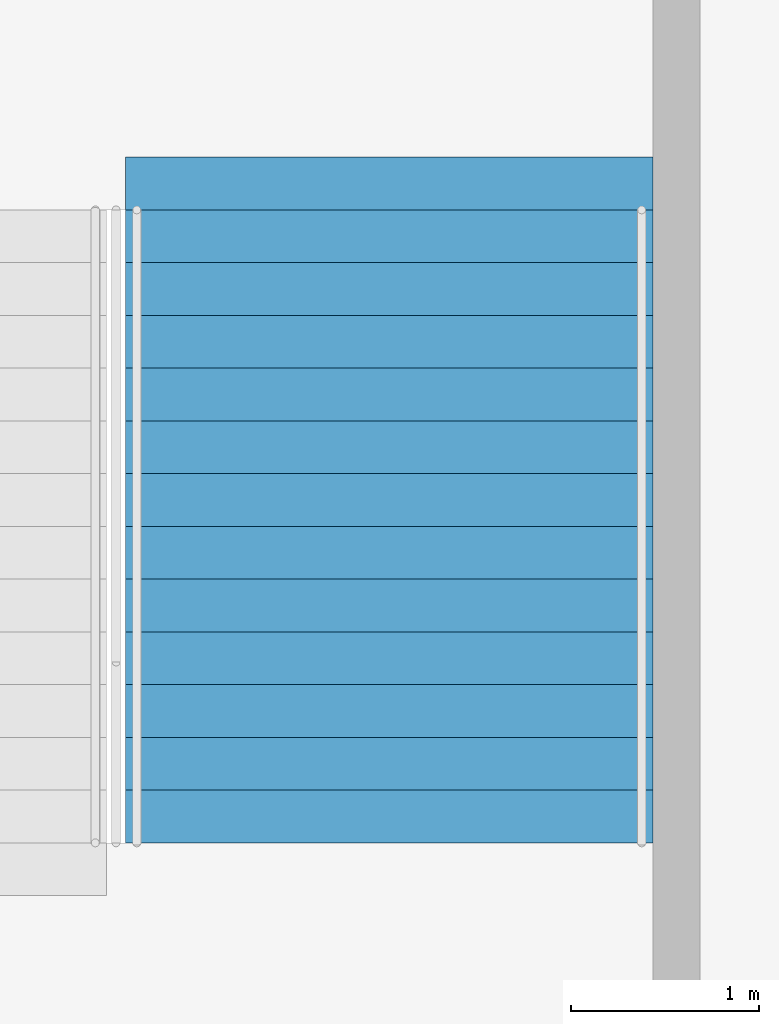
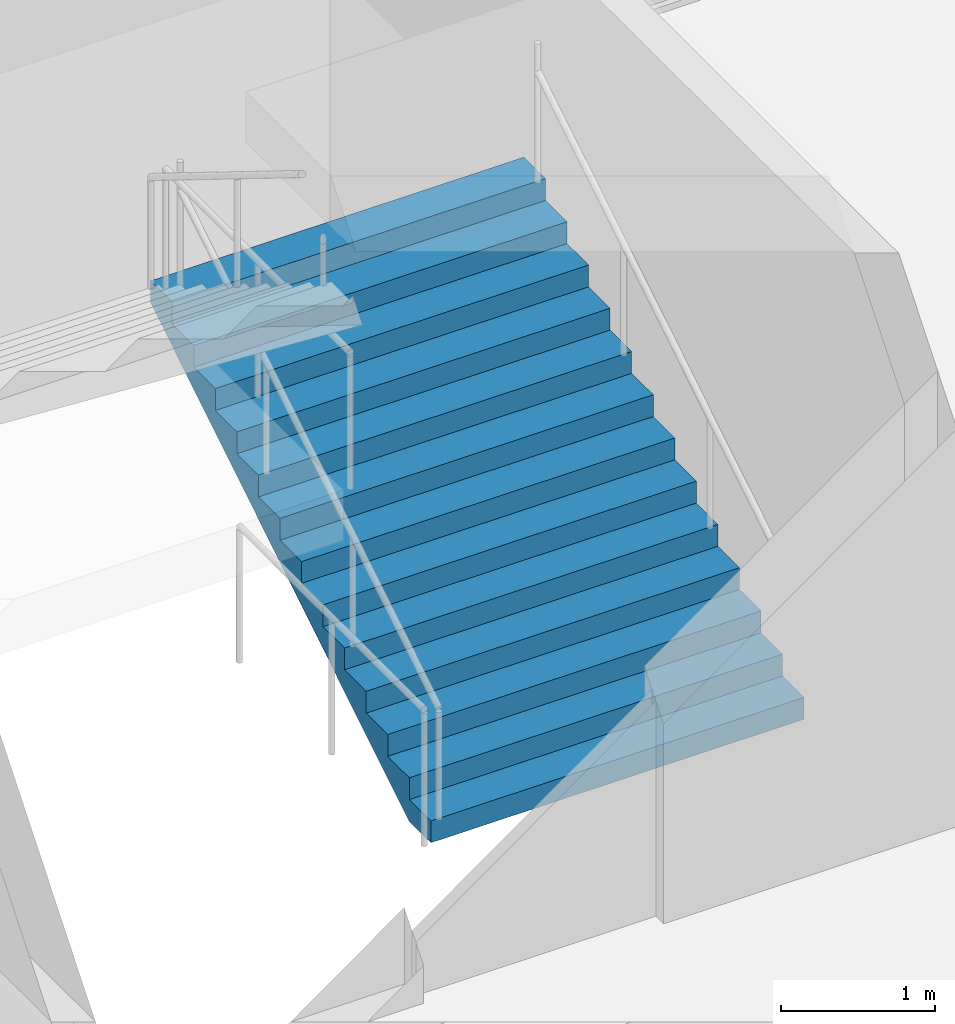
# One storey, part 218 of 249: 1 stair flight, 1 element without a shape of its own.
"""IFC4 building model written with IfcOpenShell, lengths in metres."""

from ifc_helpers import new_model, si_unit, direction, frame, origin, place, context, subcontext, project, spatial, faceted_brep, material, type_object, element, aggregate, save


model = new_model("IFC4")

# Units and contexts
model_context = context("Model", 3, precision=1e-05, world=origin(), true_north=direction((0.0, 1.0)))
body_context = subcontext(model_context, "Body", "Model", "MODEL_VIEW")
ifc_project = project(units=[si_unit("LENGTHUNIT", "METRE"), si_unit("AREAUNIT", "SQUARE_METRE"), si_unit("VOLUMEUNIT", "CUBIC_METRE"), si_unit("PLANEANGLEUNIT", "RADIAN"), si_unit("MASSUNIT", "GRAM", prefix="KILO")], contexts=[model_context])

# Site, building, storey
site_placement = place(None, origin())
site = spatial("IfcSite", under=ifc_project, at=site_placement, CompositionType="ELEMENT")
building_placement = place(site_placement, origin())
building = spatial("IfcBuilding", under=site, at=building_placement, Name="Ogive Plaza Stadium", CompositionType="ELEMENT")
storey_placement = place(building_placement, frame((0.0, 0.0, 13.5)))
storey = spatial("IfcBuildingStorey", under=building, at=storey_placement, Name="L03", CompositionType="ELEMENT", Elevation=13.5)

# Stair, stair flight
ifc_material_1 = material(Name="Concrete C40/50", Category="concrete")
stair_type = type_object("IfcStairType", Name="Exit stair", PredefinedType="STRAIGHT_RUN_STAIR", material=ifc_material_1)
stair_placement = place(storey_placement, origin())
stair = element("IfcStair", 1, at=stair_placement, inside=storey, type_object=stair_type, Name="Exit stair ST36A L03 to L04", PredefinedType="STRAIGHT_RUN_STAIR")
ifc_material_2 = material(Name="Concrete C40/50", Category="concrete")
stair_flight_type = type_object("IfcStairFlightType", Name="Exit stair flight", PredefinedType="STRAIGHT", material=ifc_material_2)
stair_flight_placement = place(storey_placement, frame((24.824951171875, 94.85009765625, 0.0), z_axis=(0.0, 0.0, 1.0), x_axis=(0.0, 1.0, 0.0)))
stair_flight = element("IfcStairFlight", 2, at=stair_flight_placement, type_object=stair_flight_type, Name="ST36A flight 1", NumberOfRisers=13, NumberOfTreads=12, PredefinedType="STRAIGHT", RiserHeight=0.173076923, TreadLength=0.28, context=body_context, shape_type="Brep", body=[
    faceted_brep([(0.28515625, -1.39990234375, 0.0), (3.639892578125, -1.39990234375, 2.07373046875), (3.639892578125, -1.39990234375, 2.25), (3.360107421875, -1.39990234375, 2.25), (3.360107421875, -1.39990234375, 2.076904296875), (3.080078125, -1.39990234375, 2.076904296875), (3.080078125, -1.39990234375, 1.90380859375), (2.800048828125, -1.39990234375, 1.90380859375), (2.800048828125, -1.39990234375, 1.730712890625), (2.52001953125, -1.39990234375, 1.730712890625), (2.52001953125, -1.39990234375, 1.5576171875), (2.239990234375, -1.39990234375, 1.5576171875), (2.239990234375, -1.39990234375, 1.384521484375), (1.9599609375, -1.39990234375, 1.384521484375), (1.9599609375, -1.39990234375, 1.21142578125), (1.679931640625, -1.39990234375, 1.21142578125), (1.679931640625, -1.39990234375, 1.03857421875), (1.39990234375, -1.39990234375, 1.03857421875), (1.39990234375, -1.39990234375, 0.865478515625), (1.1201171875, -1.39990234375, 0.865478515625), (1.1201171875, -1.39990234375, 0.6923828125), (0.840087890625, -1.39990234375, 0.6923828125), (0.840087890625, -1.39990234375, 0.519287109375), (0.56005859375, -1.39990234375, 0.519287109375), (0.56005859375, -1.39990234375, 0.34619140625), (0.280029296875, -1.39990234375, 0.34619140625), (0.280029296875, -1.39990234375, 0.173095703125), (0.0, -1.39990234375, 0.173095703125), (0.0, -1.39990234375, 0.0), (0.0, 1.39990234375, 0.0), (0.0, 1.39990234375, 0.173095703125), (0.280029296875, 1.39990234375, 0.173095703125), (0.280029296875, 1.39990234375, 0.34619140625), (0.56005859375, 1.39990234375, 0.34619140625), (0.56005859375, 1.39990234375, 0.519287109375), (0.840087890625, 1.39990234375, 0.519287109375), (0.840087890625, 1.39990234375, 0.6923828125), (1.1201171875, 1.39990234375, 0.6923828125), (1.1201171875, 1.39990234375, 0.865478515625), (1.39990234375, 1.39990234375, 0.865478515625), (1.39990234375, 1.39990234375, 1.03857421875), (1.679931640625, 1.39990234375, 1.03857421875), (1.679931640625, 1.39990234375, 1.21142578125), (1.9599609375, 1.39990234375, 1.21142578125), (1.9599609375, 1.39990234375, 1.384521484375), (2.239990234375, 1.39990234375, 1.384521484375), (2.239990234375, 1.39990234375, 1.5576171875), (2.52001953125, 1.39990234375, 1.5576171875), (2.52001953125, 1.39990234375, 1.730712890625), (2.800048828125, 1.39990234375, 1.730712890625), (2.800048828125, 1.39990234375, 1.90380859375), (3.080078125, 1.39990234375, 1.90380859375), (3.080078125, 1.39990234375, 2.076904296875), (3.360107421875, 1.39990234375, 2.076904296875), (3.360107421875, 1.39990234375, 2.25), (3.639892578125, 1.39990234375, 2.25), (3.639892578125, 1.39990234375, 2.07373046875), (0.28515625, 1.39990234375, 0.0), (0.28515625, -1.0888671875, 0.0), (3.639892578125, -1.0888671875, 2.07373046875), (0.28515625, -0.77783203125, 0.0), (3.639892578125, -0.77783203125, 2.07373046875), (0.28515625, -0.466796875, 0.0), (3.639892578125, -0.466796875, 2.07373046875), (0.28515625, -0.155517578125, 0.0), (3.639892578125, -0.155517578125, 2.07373046875), (0.28515625, 0.155517578125, 0.0), (3.639892578125, 0.155517578125, 2.07373046875), (0.28515625, 0.466796875, 0.0), (3.639892578125, 0.466796875, 2.07373046875), (0.28515625, 0.77783203125, 0.0), (3.639892578125, 0.77783203125, 2.07373046875), (0.28515625, 1.0888671875, 0.0), (3.639892578125, 1.0888671875, 2.07373046875), (3.639892578125, -1.0888671875, 2.25), (3.639892578125, -0.77783203125, 2.25), (3.639892578125, -0.466796875, 2.25), (3.639892578125, -0.155517578125, 2.25), (3.639892578125, 0.155517578125, 2.25), (3.639892578125, 0.466796875, 2.25), (3.639892578125, 0.77783203125, 2.25), (3.639892578125, 1.0888671875, 2.25), (3.360107421875, -1.0888671875, 2.25), (3.360107421875, -0.77783203125, 2.25), (3.360107421875, -0.466796875, 2.25), (3.360107421875, -0.155517578125, 2.25), (3.360107421875, 0.155517578125, 2.25), (3.360107421875, 0.466796875, 2.25), (3.360107421875, 0.77783203125, 2.25), (3.360107421875, 1.0888671875, 2.25), (3.360107421875, -1.0888671875, 2.076904296875), (3.360107421875, -0.77783203125, 2.076904296875), (3.360107421875, -0.466796875, 2.076904296875), (3.360107421875, -0.155517578125, 2.076904296875), (3.360107421875, 0.155517578125, 2.076904296875), (3.360107421875, 0.466796875, 2.076904296875), (3.360107421875, 0.77783203125, 2.076904296875), (3.360107421875, 1.0888671875, 2.076904296875), (3.080078125, -1.0888671875, 2.076904296875), (3.080078125, -0.77783203125, 2.076904296875), (3.080078125, -0.466796875, 2.076904296875), (3.080078125, -0.155517578125, 2.076904296875), (3.080078125, 0.155517578125, 2.076904296875), (3.080078125, 0.466796875, 2.076904296875), (3.080078125, 0.77783203125, 2.076904296875), (3.080078125, 1.0888671875, 2.076904296875), (3.080078125, -1.0888671875, 1.90380859375), (3.080078125, -0.77783203125, 1.90380859375), (3.080078125, -0.466796875, 1.90380859375), (3.080078125, -0.155517578125, 1.90380859375), (3.080078125, 0.155517578125, 1.90380859375), (3.080078125, 0.466796875, 1.90380859375), (3.080078125, 0.77783203125, 1.90380859375), (3.080078125, 1.0888671875, 1.90380859375), (2.800048828125, -1.0888671875, 1.90380859375), (2.800048828125, -0.77783203125, 1.90380859375), (2.800048828125, -0.466796875, 1.90380859375), (2.800048828125, -0.155517578125, 1.90380859375), (2.800048828125, 0.155517578125, 1.90380859375), (2.800048828125, 0.466796875, 1.90380859375), (2.800048828125, 0.77783203125, 1.90380859375), (2.800048828125, 1.0888671875, 1.90380859375), (2.800048828125, -1.0888671875, 1.730712890625), (2.800048828125, -0.77783203125, 1.730712890625), (2.800048828125, -0.466796875, 1.730712890625), (2.800048828125, -0.155517578125, 1.730712890625), (2.800048828125, 0.155517578125, 1.730712890625), (2.800048828125, 0.466796875, 1.730712890625), (2.800048828125, 0.77783203125, 1.730712890625), (2.800048828125, 1.0888671875, 1.730712890625), (2.52001953125, -1.0888671875, 1.730712890625), (2.52001953125, -0.77783203125, 1.730712890625), (2.52001953125, -0.466796875, 1.730712890625), (2.52001953125, -0.155517578125, 1.730712890625), (2.52001953125, 0.155517578125, 1.730712890625), (2.52001953125, 0.466796875, 1.730712890625), (2.52001953125, 0.77783203125, 1.730712890625), (2.52001953125, 1.0888671875, 1.730712890625), (2.52001953125, -1.0888671875, 1.5576171875), (2.52001953125, -0.77783203125, 1.5576171875), (2.52001953125, -0.466796875, 1.5576171875), (2.52001953125, -0.155517578125, 1.5576171875), (2.52001953125, 0.155517578125, 1.5576171875), (2.52001953125, 0.466796875, 1.5576171875), (2.52001953125, 0.77783203125, 1.5576171875), (2.52001953125, 1.0888671875, 1.5576171875), (2.239990234375, -1.0888671875, 1.5576171875), (2.239990234375, -0.77783203125, 1.5576171875), (2.239990234375, -0.466796875, 1.5576171875), (2.239990234375, -0.155517578125, 1.5576171875), (2.239990234375, 0.155517578125, 1.5576171875), (2.239990234375, 0.466796875, 1.5576171875), (2.239990234375, 0.77783203125, 1.5576171875), (2.239990234375, 1.0888671875, 1.5576171875), (2.239990234375, -1.0888671875, 1.384521484375), (2.239990234375, -0.77783203125, 1.384521484375), (2.239990234375, -0.466796875, 1.384521484375), (2.239990234375, -0.155517578125, 1.384521484375), (2.239990234375, 0.155517578125, 1.384521484375), (2.239990234375, 0.466796875, 1.384521484375), (2.239990234375, 0.77783203125, 1.384521484375), (2.239990234375, 1.0888671875, 1.384521484375), (1.9599609375, -1.0888671875, 1.384521484375), (1.9599609375, -0.77783203125, 1.384521484375), (1.9599609375, -0.466796875, 1.384521484375), (1.9599609375, -0.155517578125, 1.384521484375), (1.9599609375, 0.155517578125, 1.384521484375), (1.9599609375, 0.466796875, 1.384521484375), (1.9599609375, 0.77783203125, 1.384521484375), (1.9599609375, 1.0888671875, 1.384521484375), (1.9599609375, -1.0888671875, 1.21142578125), (1.9599609375, -0.77783203125, 1.21142578125), (1.9599609375, -0.466796875, 1.21142578125), (1.9599609375, -0.155517578125, 1.21142578125), (1.9599609375, 0.155517578125, 1.21142578125), (1.9599609375, 0.466796875, 1.21142578125), (1.9599609375, 0.77783203125, 1.21142578125), (1.9599609375, 1.0888671875, 1.21142578125), (1.679931640625, -1.0888671875, 1.21142578125), (1.679931640625, -0.77783203125, 1.21142578125), (1.679931640625, -0.466796875, 1.21142578125), (1.679931640625, -0.155517578125, 1.21142578125), (1.679931640625, 0.155517578125, 1.21142578125), (1.679931640625, 0.466796875, 1.21142578125), (1.679931640625, 0.77783203125, 1.21142578125), (1.679931640625, 1.0888671875, 1.21142578125), (1.679931640625, -1.0888671875, 1.03857421875), (1.679931640625, -0.77783203125, 1.03857421875), (1.679931640625, -0.466796875, 1.03857421875), (1.679931640625, -0.155517578125, 1.03857421875), (1.679931640625, 0.155517578125, 1.03857421875), (1.679931640625, 0.466796875, 1.03857421875), (1.679931640625, 0.77783203125, 1.03857421875), (1.679931640625, 1.0888671875, 1.03857421875), (1.39990234375, -1.0888671875, 1.03857421875), (1.39990234375, -0.77783203125, 1.03857421875), (1.39990234375, -0.466796875, 1.03857421875), (1.39990234375, -0.155517578125, 1.03857421875), (1.39990234375, 0.155517578125, 1.03857421875), (1.39990234375, 0.466796875, 1.03857421875), (1.39990234375, 0.77783203125, 1.03857421875), (1.39990234375, 1.0888671875, 1.03857421875), (1.39990234375, -1.0888671875, 0.865478515625), (1.39990234375, -0.77783203125, 0.865478515625), (1.39990234375, -0.466796875, 0.865478515625), (1.39990234375, -0.155517578125, 0.865478515625), (1.39990234375, 0.155517578125, 0.865478515625), (1.39990234375, 0.466796875, 0.865478515625), (1.39990234375, 0.77783203125, 0.865478515625), (1.39990234375, 1.0888671875, 0.865478515625), (1.1201171875, -1.0888671875, 0.865478515625), (1.1201171875, -0.77783203125, 0.865478515625), (1.1201171875, -0.466796875, 0.865478515625), (1.1201171875, -0.155517578125, 0.865478515625), (1.1201171875, 0.155517578125, 0.865478515625), (1.1201171875, 0.466796875, 0.865478515625), (1.1201171875, 0.77783203125, 0.865478515625), (1.1201171875, 1.0888671875, 0.865478515625), (1.1201171875, -1.0888671875, 0.6923828125), (1.1201171875, -0.77783203125, 0.6923828125), (1.1201171875, -0.466796875, 0.6923828125), (1.1201171875, -0.155517578125, 0.6923828125), (1.1201171875, 0.155517578125, 0.6923828125), (1.1201171875, 0.466796875, 0.6923828125), (1.1201171875, 0.77783203125, 0.6923828125), (1.1201171875, 1.0888671875, 0.6923828125), (0.840087890625, -1.0888671875, 0.6923828125), (0.840087890625, -0.77783203125, 0.6923828125), (0.840087890625, -0.466796875, 0.6923828125), (0.840087890625, -0.155517578125, 0.6923828125), (0.840087890625, 0.155517578125, 0.6923828125), (0.840087890625, 0.466796875, 0.6923828125), (0.840087890625, 0.77783203125, 0.6923828125), (0.840087890625, 1.0888671875, 0.6923828125), (0.840087890625, -1.0888671875, 0.519287109375), (0.840087890625, -0.77783203125, 0.519287109375), (0.840087890625, -0.466796875, 0.519287109375), (0.840087890625, -0.155517578125, 0.519287109375), (0.840087890625, 0.155517578125, 0.519287109375), (0.840087890625, 0.466796875, 0.519287109375), (0.840087890625, 0.77783203125, 0.519287109375), (0.840087890625, 1.0888671875, 0.519287109375), (0.56005859375, -1.0888671875, 0.519287109375), (0.56005859375, -0.77783203125, 0.519287109375), (0.56005859375, -0.466796875, 0.519287109375), (0.56005859375, -0.155517578125, 0.519287109375), (0.56005859375, 0.155517578125, 0.519287109375), (0.56005859375, 0.466796875, 0.519287109375), (0.56005859375, 0.77783203125, 0.519287109375), (0.56005859375, 1.0888671875, 0.519287109375), (0.56005859375, -1.0888671875, 0.34619140625), (0.56005859375, -0.77783203125, 0.34619140625), (0.56005859375, -0.466796875, 0.34619140625), (0.56005859375, -0.155517578125, 0.34619140625), (0.56005859375, 0.155517578125, 0.34619140625), (0.56005859375, 0.466796875, 0.34619140625), (0.56005859375, 0.77783203125, 0.34619140625), (0.56005859375, 1.0888671875, 0.34619140625), (0.280029296875, -1.0888671875, 0.34619140625), (0.280029296875, -0.77783203125, 0.34619140625), (0.280029296875, -0.466796875, 0.34619140625), (0.280029296875, -0.155517578125, 0.34619140625), (0.280029296875, 0.155517578125, 0.34619140625), (0.280029296875, 0.466796875, 0.34619140625), (0.280029296875, 0.77783203125, 0.34619140625), (0.280029296875, 1.0888671875, 0.34619140625), (0.280029296875, -1.0888671875, 0.173095703125), (0.280029296875, -0.77783203125, 0.173095703125), (0.280029296875, -0.466796875, 0.173095703125), (0.280029296875, -0.155517578125, 0.173095703125), (0.280029296875, 0.155517578125, 0.173095703125), (0.280029296875, 0.466796875, 0.173095703125), (0.280029296875, 0.77783203125, 0.173095703125), (0.280029296875, 1.0888671875, 0.173095703125), (0.0, -1.0888671875, 0.173095703125), (0.0, -0.77783203125, 0.173095703125), (0.0, -0.466796875, 0.173095703125), (0.0, -0.155517578125, 0.173095703125), (0.0, 0.155517578125, 0.173095703125), (0.0, 0.466796875, 0.173095703125), (0.0, 0.77783203125, 0.173095703125), (0.0, 1.0888671875, 0.173095703125), (0.0, -1.0888671875, 0.0), (0.0, -0.77783203125, 0.0), (0.0, -0.466796875, 0.0), (0.0, -0.155517578125, 0.0), (0.0, 0.155517578125, 0.0), (0.0, 0.466796875, 0.0), (0.0, 0.77783203125, 0.0), (0.0, 1.0888671875, 0.0)], [[[0, 1, 2, 3, 4, 5, 6, 7, 8, 9, 10, 11, 12, 13, 14, 15, 16, 17, 18, 19, 20, 21, 22, 23, 24, 25, 26, 27, 28]], [[29, 30, 31, 32, 33, 34, 35, 36, 37, 38, 39, 40, 41, 42, 43, 44, 45, 46, 47, 48, 49, 50, 51, 52, 53, 54, 55, 56, 57]], [[0, 58, 59, 1]], [[58, 60, 61, 59]], [[60, 62, 63, 61]], [[62, 64, 65, 63]], [[64, 66, 67, 65]], [[66, 68, 69, 67]], [[68, 70, 71, 69]], [[70, 72, 73, 71]], [[72, 57, 56, 73]], [[1, 59, 74, 2]], [[59, 61, 75, 74]], [[61, 63, 76, 75]], [[63, 65, 77, 76]], [[65, 67, 78, 77]], [[67, 69, 79, 78]], [[69, 71, 80, 79]], [[71, 73, 81, 80]], [[73, 56, 55, 81]], [[2, 74, 82, 3]], [[74, 75, 83, 82]], [[75, 76, 84, 83]], [[76, 77, 85, 84]], [[77, 78, 86, 85]], [[78, 79, 87, 86]], [[79, 80, 88, 87]], [[80, 81, 89, 88]], [[81, 55, 54, 89]], [[3, 82, 90, 4]], [[82, 83, 91, 90]], [[83, 84, 92, 91]], [[84, 85, 93, 92]], [[85, 86, 94, 93]], [[86, 87, 95, 94]], [[87, 88, 96, 95]], [[88, 89, 97, 96]], [[89, 54, 53, 97]], [[4, 90, 98, 5]], [[90, 91, 99, 98]], [[91, 92, 100, 99]], [[92, 93, 101, 100]], [[93, 94, 102, 101]], [[94, 95, 103, 102]], [[95, 96, 104, 103]], [[96, 97, 105, 104]], [[97, 53, 52, 105]], [[5, 98, 106, 6]], [[98, 99, 107, 106]], [[99, 100, 108, 107]], [[100, 101, 109, 108]], [[101, 102, 110, 109]], [[102, 103, 111, 110]], [[103, 104, 112, 111]], [[104, 105, 113, 112]], [[105, 52, 51, 113]], [[6, 106, 114, 7]], [[106, 107, 115, 114]], [[107, 108, 116, 115]], [[108, 109, 117, 116]], [[109, 110, 118, 117]], [[110, 111, 119, 118]], [[111, 112, 120, 119]], [[112, 113, 121, 120]], [[113, 51, 50, 121]], [[7, 114, 122, 8]], [[114, 115, 123, 122]], [[115, 116, 124, 123]], [[116, 117, 125, 124]], [[117, 118, 126, 125]], [[118, 119, 127, 126]], [[119, 120, 128, 127]], [[120, 121, 129, 128]], [[121, 50, 49, 129]], [[8, 122, 130, 9]], [[122, 123, 131, 130]], [[123, 124, 132, 131]], [[124, 125, 133, 132]], [[125, 126, 134, 133]], [[126, 127, 135, 134]], [[127, 128, 136, 135]], [[128, 129, 137, 136]], [[129, 49, 48, 137]], [[9, 130, 138, 10]], [[130, 131, 139, 138]], [[131, 132, 140, 139]], [[132, 133, 141, 140]], [[133, 134, 142, 141]], [[134, 135, 143, 142]], [[135, 136, 144, 143]], [[136, 137, 145, 144]], [[137, 48, 47, 145]], [[10, 138, 146, 11]], [[138, 139, 147, 146]], [[139, 140, 148, 147]], [[140, 141, 149, 148]], [[141, 142, 150, 149]], [[142, 143, 151, 150]], [[143, 144, 152, 151]], [[144, 145, 153, 152]], [[145, 47, 46, 153]], [[11, 146, 154, 12]], [[146, 147, 155, 154]], [[147, 148, 156, 155]], [[148, 149, 157, 156]], [[149, 150, 158, 157]], [[150, 151, 159, 158]], [[151, 152, 160, 159]], [[152, 153, 161, 160]], [[153, 46, 45, 161]], [[12, 154, 162, 13]], [[154, 155, 163, 162]], [[155, 156, 164, 163]], [[156, 157, 165, 164]], [[157, 158, 166, 165]], [[158, 159, 167, 166]], [[159, 160, 168, 167]], [[160, 161, 169, 168]], [[161, 45, 44, 169]], [[13, 162, 170, 14]], [[162, 163, 171, 170]], [[163, 164, 172, 171]], [[164, 165, 173, 172]], [[165, 166, 174, 173]], [[166, 167, 175, 174]], [[167, 168, 176, 175]], [[168, 169, 177, 176]], [[169, 44, 43, 177]], [[14, 170, 178, 15]], [[170, 171, 179, 178]], [[171, 172, 180, 179]], [[172, 173, 181, 180]], [[173, 174, 182, 181]], [[174, 175, 183, 182]], [[175, 176, 184, 183]], [[176, 177, 185, 184]], [[177, 43, 42, 185]], [[15, 178, 186, 16]], [[178, 179, 187, 186]], [[179, 180, 188, 187]], [[180, 181, 189, 188]], [[181, 182, 190, 189]], [[182, 183, 191, 190]], [[183, 184, 192, 191]], [[184, 185, 193, 192]], [[185, 42, 41, 193]], [[16, 186, 194, 17]], [[186, 187, 195, 194]], [[187, 188, 196, 195]], [[188, 189, 197, 196]], [[189, 190, 198, 197]], [[190, 191, 199, 198]], [[191, 192, 200, 199]], [[192, 193, 201, 200]], [[193, 41, 40, 201]], [[17, 194, 202, 18]], [[194, 195, 203, 202]], [[195, 196, 204, 203]], [[196, 197, 205, 204]], [[197, 198, 206, 205]], [[198, 199, 207, 206]], [[199, 200, 208, 207]], [[200, 201, 209, 208]], [[201, 40, 39, 209]], [[18, 202, 210, 19]], [[202, 203, 211, 210]], [[203, 204, 212, 211]], [[204, 205, 213, 212]], [[205, 206, 214, 213]], [[206, 207, 215, 214]], [[207, 208, 216, 215]], [[208, 209, 217, 216]], [[209, 39, 38, 217]], [[19, 210, 218, 20]], [[210, 211, 219, 218]], [[211, 212, 220, 219]], [[212, 213, 221, 220]], [[213, 214, 222, 221]], [[214, 215, 223, 222]], [[215, 216, 224, 223]], [[216, 217, 225, 224]], [[217, 38, 37, 225]], [[20, 218, 226, 21]], [[218, 219, 227, 226]], [[219, 220, 228, 227]], [[220, 221, 229, 228]], [[221, 222, 230, 229]], [[222, 223, 231, 230]], [[223, 224, 232, 231]], [[224, 225, 233, 232]], [[225, 37, 36, 233]], [[21, 226, 234, 22]], [[226, 227, 235, 234]], [[227, 228, 236, 235]], [[228, 229, 237, 236]], [[229, 230, 238, 237]], [[230, 231, 239, 238]], [[231, 232, 240, 239]], [[232, 233, 241, 240]], [[233, 36, 35, 241]], [[22, 234, 242, 23]], [[234, 235, 243, 242]], [[235, 236, 244, 243]], [[236, 237, 245, 244]], [[237, 238, 246, 245]], [[238, 239, 247, 246]], [[239, 240, 248, 247]], [[240, 241, 249, 248]], [[241, 35, 34, 249]], [[23, 242, 250, 24]], [[242, 243, 251, 250]], [[243, 244, 252, 251]], [[244, 245, 253, 252]], [[245, 246, 254, 253]], [[246, 247, 255, 254]], [[247, 248, 256, 255]], [[248, 249, 257, 256]], [[249, 34, 33, 257]], [[24, 250, 258, 25]], [[250, 251, 259, 258]], [[251, 252, 260, 259]], [[252, 253, 261, 260]], [[253, 254, 262, 261]], [[254, 255, 263, 262]], [[255, 256, 264, 263]], [[256, 257, 265, 264]], [[257, 33, 32, 265]], [[25, 258, 266, 26]], [[258, 259, 267, 266]], [[259, 260, 268, 267]], [[260, 261, 269, 268]], [[261, 262, 270, 269]], [[262, 263, 271, 270]], [[263, 264, 272, 271]], [[264, 265, 273, 272]], [[265, 32, 31, 273]], [[26, 266, 274, 27]], [[266, 267, 275, 274]], [[267, 268, 276, 275]], [[268, 269, 277, 276]], [[269, 270, 278, 277]], [[270, 271, 279, 278]], [[271, 272, 280, 279]], [[272, 273, 281, 280]], [[273, 31, 30, 281]], [[27, 274, 282, 28]], [[274, 275, 283, 282]], [[275, 276, 284, 283]], [[276, 277, 285, 284]], [[277, 278, 286, 285]], [[278, 279, 287, 286]], [[279, 280, 288, 287]], [[280, 281, 289, 288]], [[281, 30, 29, 289]], [[28, 282, 58, 0]], [[282, 283, 60, 58]], [[283, 284, 62, 60]], [[284, 285, 64, 62]], [[285, 286, 66, 64]], [[286, 287, 68, 66]], [[287, 288, 70, 68]], [[288, 289, 72, 70]], [[289, 29, 57, 72]]]),
])
aggregate(stair, [stair_flight])

save(model, "model.ifc")
